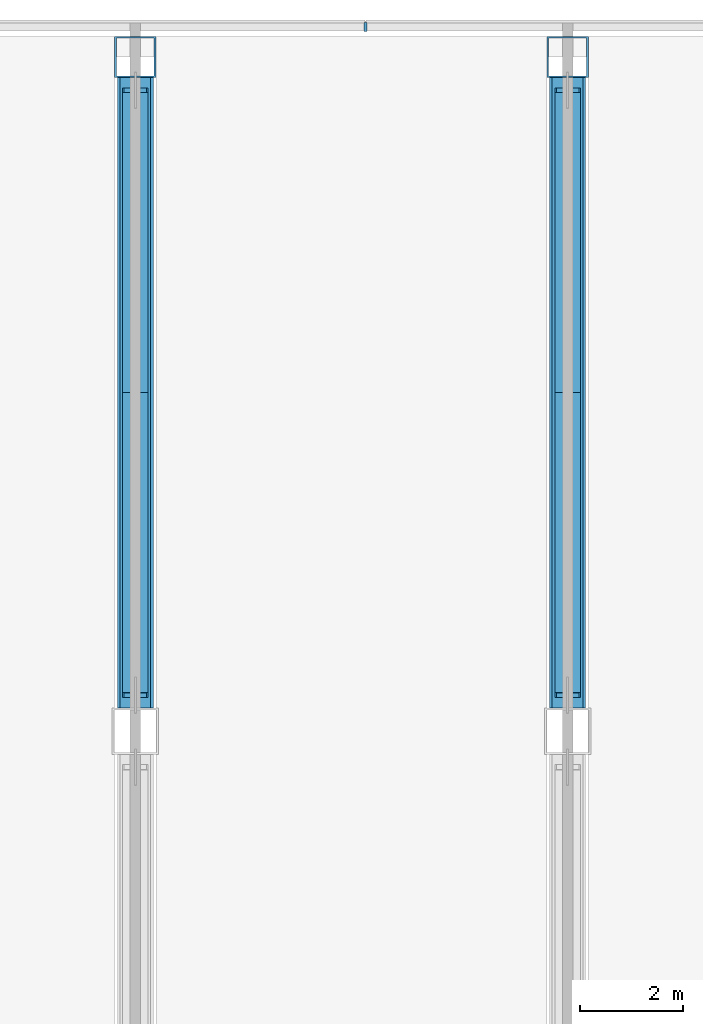
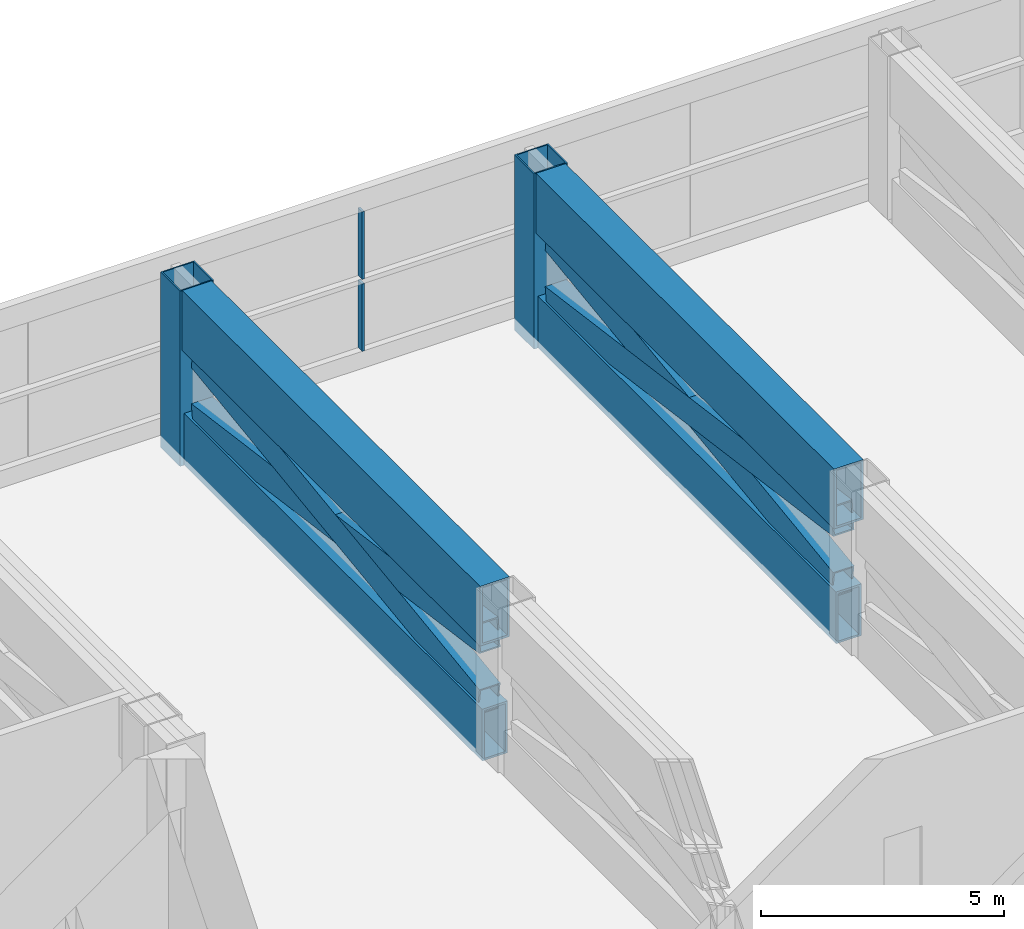
# One storey, part 10 of 31: 12 members, 1 element without a shape of its own.
"""IFC4 building model written with IfcOpenShell, lengths in metres."""

from ifc_helpers import new_model, si_unit, direction, frame, origin, origin_2d, place, context, subcontext, project, spatial, rectangle, hollow_rectangle, extrude, material, layer, layer_set, material_profile, profile_set, type_object, element, aggregate, save


model = new_model("IFC4")

# Units and contexts
model_context = context("Model", 3, precision=1e-05, world=origin(), true_north=direction((0.0, 1.0)))
body_context = subcontext(model_context, "Body", "Model", "MODEL_VIEW")
ifc_project = project(units=[si_unit("LENGTHUNIT", "METRE"), si_unit("AREAUNIT", "SQUARE_METRE"), si_unit("VOLUMEUNIT", "CUBIC_METRE"), si_unit("PLANEANGLEUNIT", "RADIAN"), si_unit("MASSUNIT", "GRAM", prefix="KILO")], contexts=[model_context])

# Site, building, storey
site_placement = place(None, origin())
site = spatial("IfcSite", under=ifc_project, at=site_placement, CompositionType="ELEMENT")
building_placement = place(site_placement, origin())
building = spatial("IfcBuilding", under=site, at=building_placement, Name="Hakoniwa Tower and Hamabe Station Hall", CompositionType="ELEMENT")
storey_placement = place(building_placement, frame((0.0, 0.0, 120.199951171875)))
storey = spatial("IfcBuildingStorey", under=building, at=storey_placement, Name="L34", CompositionType="ELEMENT", Elevation=120.199951171875)

# Curtain wall, members
ifc_material_1 = material(Name="Dark low-e laminated glass", Category="glass")
ifc_layer = layer(ifc_material_1, 0.199951171875)
ifc_layer_set = layer_set([ifc_layer], Name="CW-6 PLANT LOUVRE")
curtain_wall_type = type_object("IfcCurtainWallType", Name="CW-6 PLANT LOUVRE", PredefinedType="NOTDEFINED", material=ifc_layer_set)
curtain_wall_placement = place(storey_placement, origin())
curtain_wall = element("IfcCurtainWall", 1, at=curtain_wall_placement, inside=storey, type_object=curtain_wall_type, Name="CW-6 curtain wall", PredefinedType="NOTDEFINED")
ifc_material_2 = material(Name="Aluminium 6063-T5 black anodised", Category="aluminium")
ifc_material_profile_1 = material_profile(ifc_material_2, rectangle(XDim=0.06005859375, YDim=0.179931640625, at=origin_2d()), Name="CW-1 MULLION 60X180")
ifc_profile_set_1 = profile_set([ifc_material_profile_1], Name="Aluminium 6063-T5 black anodised")
member_type_1 = type_object("IfcMemberType", Name="CW-1 MULLION 60X180", PredefinedType="MULLION", material=ifc_profile_set_1)
member_1_placement = place(storey_placement, frame((-3.930908203125, 23.431884765625, 0.35009765625), z_axis=(0.0, 0.0, 1.0), x_axis=(-1.0, 0.0, 0.0)))
member_1 = element("IfcMember", 2, at=member_1_placement, type_object=member_type_1, Name="CW-6 mullion", PredefinedType="MULLION", context=body_context, shape_type="SweptSolid", body=[
    extrude(rectangle(XDim=0.06005859375, YDim=0.179931640625, at=origin_2d()), origin(), (0.0, 0.0, 1.0), 1.68994140625),
])
member_2_placement = place(storey_placement, frame((-3.930908203125, 23.431884765625, 2.16015625), z_axis=(0.0, 0.0, 1.0), x_axis=(-1.0, 0.0, 0.0)))
member_2 = element("IfcMember", 3, at=member_2_placement, type_object=member_type_1, Name="CW-6 mullion", PredefinedType="MULLION", context=body_context, shape_type="SweptSolid", body=[
    extrude(rectangle(XDim=0.06005859375, YDim=0.179931640625, at=origin_2d()), origin(), (0.0, 0.0, 1.0), 1.68994140625),
])
aggregate(curtain_wall, [member_1, member_2])

# Members
ifc_material_3 = material(Name="Steel SN490C", Category="steel")
ifc_material_profile_2 = material_profile(ifc_material_3, hollow_rectangle(XDim=0.60009765625, YDim=1.300048828125, WallThickness=0.050048828125, at=origin_2d()), Name="BX-1300x600x50")
ifc_profile_set_2 = profile_set([ifc_material_profile_2], Name="Steel SN490C")
member_type_2 = type_object("IfcMemberType", Name="TRUSS CHORD BX-1300x600x50", PredefinedType="CHORD", material=ifc_profile_set_2)
for number, where, z_axis, x_axis, name in (
    (4, (-8.39990234375, 10.199951171875, 0.35009765625), (0.0, 1.0, 0.0), (-1.0, 0.0, 0.0), "Truss T2-11-BC03"),
    (5, (0.0, 10.199951171875, 0.35009765625), (0.0, 1.0, 0.0), (-1.0, 0.0, 0.0), "Truss T2-12-BC03"),
):
    element("IfcMember", number, at=place(storey_placement, frame(where, z_axis=z_axis, x_axis=x_axis)), inside=storey, type_object=member_type_2, Name=name, PredefinedType="CHORD", context=body_context, shape_type="SweptSolid", body=[
        extrude(hollow_rectangle(XDim=0.60009765625, YDim=1.300048828125, WallThickness=0.050048828125, at=origin_2d()), origin(), (0.0, 0.0, 1.0), 12.25),
    ])
ifc_material_4 = material(Name="Steel SN490C", Category="steel")
ifc_material_profile_3 = material_profile(ifc_material_4, hollow_rectangle(XDim=0.699951171875, YDim=1.5, WallThickness=0.054931640625, at=origin_2d()), Name="BX-1500x700x55")
ifc_profile_set_3 = profile_set([ifc_material_profile_3], Name="Steel SN490C")
member_type_3 = type_object("IfcMemberType", Name="TRUSS CHORD BX-1500x700x55", PredefinedType="CHORD", material=ifc_profile_set_3)
for number, where, z_axis, x_axis, name in (
    (6, (-8.39990234375, 10.199951171875, 3.35009765625), (0.0, 1.0, 0.0), (-1.0, 0.0, 0.0), "Truss T2-11-TC03"),
    (7, (0.0, 10.199951171875, 3.35009765625), (0.0, 1.0, 0.0), (-1.0, 0.0, 0.0), "Truss T2-12-TC03"),
):
    element("IfcMember", number, at=place(storey_placement, frame(where, z_axis=z_axis, x_axis=x_axis)), inside=storey, type_object=member_type_3, Name=name, PredefinedType="CHORD", context=body_context, shape_type="SweptSolid", body=[
        extrude(hollow_rectangle(XDim=0.699951171875, YDim=1.5, WallThickness=0.054931640625, at=origin_2d()), origin(), (0.0, 0.0, 1.0), 12.25),
    ])
ifc_material_5 = material(Name="Steel SN490C", Category="steel")
ifc_material_profile_4 = material_profile(ifc_material_5, hollow_rectangle(XDim=0.5, YDim=0.699951171875, WallThickness=0.031982421875, at=origin_2d()), Name="BX-700x500x32")
ifc_profile_set_4 = profile_set([ifc_material_profile_4], Name="Steel SN490C")
member_type_4 = type_object("IfcMemberType", Name="TRUSS DIAGONAL BX-700x500x32", PredefinedType="BRACE", material=ifc_profile_set_4)
for number, where, z_axis, x_axis, name in (
    (8, (-8.39990234375, 10.449951171875, 1.0), (0.0, 0.99085470683, 0.134933131411), (-1.0, 0.0, 0.0), "Truss T2-11-D03a"),
    (9, (-8.39990234375, 10.449951171875, 2.60009765625), (0.0, 0.99085470683, -0.134933131411), (-1.0, 0.0, 0.0), "Truss T2-11-D03b"),
    (10, (0.0, 10.449951171875, 1.0), (0.0, 0.99085470683, 0.134933131411), (-1.0, 0.0, 0.0), "Truss T2-12-D03a"),
    (11, (0.0, 10.449951171875, 2.60009765625), (0.0, 0.99085470683, -0.134933131411), (-1.0, 0.0, 0.0), "Truss T2-12-D03b"),
):
    element("IfcMember", number, at=place(storey_placement, frame(where, z_axis=z_axis, x_axis=x_axis)), inside=storey, type_object=member_type_4, Name=name, PredefinedType="BRACE", context=body_context, shape_type="SweptSolid", body=[
        extrude(hollow_rectangle(XDim=0.5, YDim=0.699951171875, WallThickness=0.031982421875, at=origin_2d()), origin(), (0.0, 0.0, 1.0), 11.8583984375),
    ])
ifc_material_6 = material(Name="Steel SN490C", Category="steel")
ifc_material_profile_5 = material_profile(ifc_material_6, hollow_rectangle(XDim=0.800048828125, YDim=0.800048828125, WallThickness=0.031982421875, at=origin_2d()), Name="BX-800x800x32")
ifc_profile_set_5 = profile_set([ifc_material_profile_5], Name="Steel SN490C")
member_type_5 = type_object("IfcMemberType", Name="TRUSS POST BX-800x800x32", PredefinedType="POST", material=ifc_profile_set_5)
for number, where, z_axis, x_axis, name in (
    (12, (-8.39990234375, 22.85009765625, -0.300048828125), (0.0, 0.0, 1.0), (1.0, 0.0, 0.0), "Truss T2-11-P04"),
    (13, (0.0, 22.85009765625, -0.300048828125), (0.0, 0.0, 1.0), (1.0, 0.0, 0.0), "Truss T2-12-P04"),
):
    element("IfcMember", number, at=place(storey_placement, frame(where, z_axis=z_axis, x_axis=x_axis)), inside=storey, type_object=member_type_5, Name=name, PredefinedType="POST", context=body_context, shape_type="SweptSolid", body=[
        extrude(hollow_rectangle(XDim=0.800048828125, YDim=0.800048828125, WallThickness=0.031982421875, at=origin_2d()), origin(), (0.0, 0.0, 1.0), 4.400146484375),
    ])

save(model, "model.ifc")
